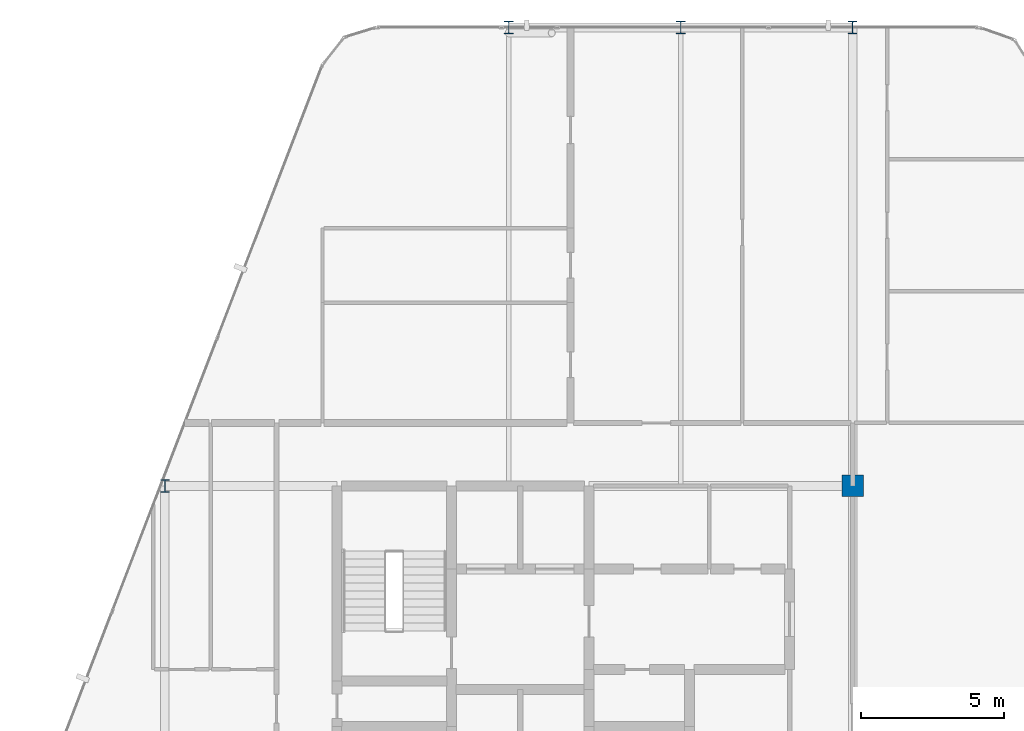
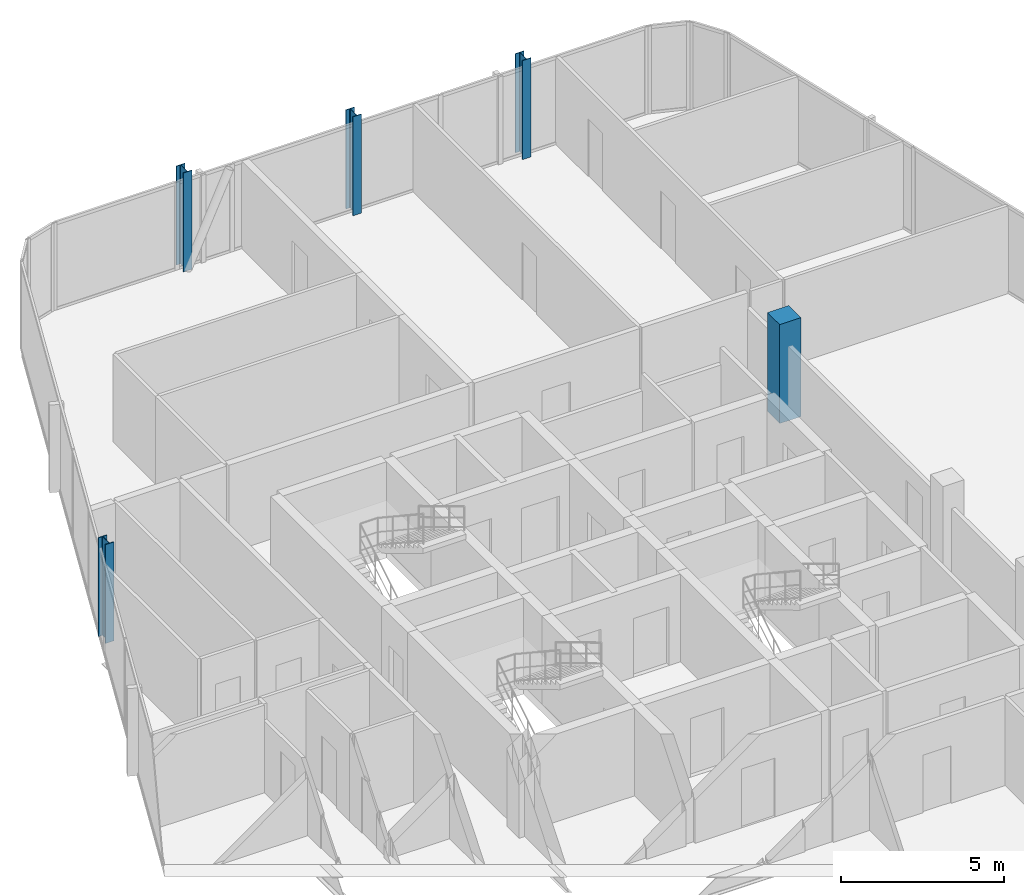
# One storey, part 3 of 28: 5 columns.
"""IFC4 building model written with IfcOpenShell, lengths in metres."""

import ifcopenshell
import ifcopenshell.guid

model = None  # the IFC model being written
_history = None  # IfcOwnerHistory: only IFC2X3 demands one
_inside = {}  # id of a spatial element -> (the spatial element, [elements in it])
_under = {}  # id of a project, library or spatial element -> (it, [spatial elements below it])
_declared = {}  # id of a project -> (the project, [libraries it declares])
_typed = {}  # id of a type object -> (the type object, [elements of that type])
_made_of = {}  # id of a material, layer set ... -> (it, [elements and type objects made of it])


def new_model(schema):
    """Start an empty IFC model of exactly this schema.

    Asked for "IFC4X3", IfcOpenShell would pick the latest addendum, in which some entities
    have other attributes; the version numbers below select the first issue.
    IFC2X3 requires an IfcOwnerHistory on every rooted entity: one is made here for all.
    """
    global model, _history
    if schema == "IFC4X3":
        model = ifcopenshell.file(schema_version=(4, 3, 0, 0))
    else:
        model = ifcopenshell.file(schema=schema)
    _inside.clear()
    _under.clear()
    _declared.clear()
    _typed.clear()
    _made_of.clear()
    _history = None
    if model.schema == "IFC2X3":
        org = make("IfcOrganization", Name="unknown")
        user = make(
            "IfcPersonAndOrganization",
            ThePerson=make("IfcPerson", FamilyName="unknown"),
            TheOrganization=org,
        )
        app = make(
            "IfcApplication",
            ApplicationDeveloper=org,
            Version="unknown",
            ApplicationFullName="unknown",
            ApplicationIdentifier="unknown",
        )
        _history = make(
            "IfcOwnerHistory",
            OwningUser=user,
            OwningApplication=app,
            ChangeAction="ADDED",
            CreationDate=0,
        )
    return model


def make(cls, **values):
    """One entity of the class cls with the attributes given. An attribute that is None is left unset."""
    return model.create_entity(
        cls, **{name: value for name, value in values.items() if value is not None}
    )


def rooted(cls, **values):
    """An entity with a GlobalId (a new one), such as an element, a storey or a relation."""
    return make(cls, GlobalId=ifcopenshell.guid.new(), OwnerHistory=_history, **values)


def si_unit(unit_type, name, prefix=None):
    """IfcSIUnit, for example si_unit("LENGTHUNIT", "METRE", prefix="MILLI")."""
    return make("IfcSIUnit", UnitType=unit_type, Prefix=prefix, Name=name)


def assignment(units):
    """IfcUnitAssignment: the units of a project."""
    return None if units is None else make("IfcUnitAssignment", Units=units)


def point(xyz):
    """IfcCartesianPoint."""
    return None if xyz is None else make("IfcCartesianPoint", Coordinates=xyz)


def direction(xyz):
    """IfcDirection."""
    return None if xyz is None else make("IfcDirection", DirectionRatios=xyz)


def frame(location, z_axis=None, x_axis=None):
    """IfcAxis2Placement3D, a coordinate frame: its origin and axes. An axis left out is left unset."""
    return make(
        "IfcAxis2Placement3D",
        Location=point(location),
        Axis=direction(z_axis),
        RefDirection=direction(x_axis),
    )


def frame_2d(location, x_axis=None):
    """IfcAxis2Placement2D, a coordinate frame in the plane: its origin and x axis."""
    return make(
        "IfcAxis2Placement2D", Location=point(location), RefDirection=direction(x_axis)
    )


def origin():
    """The frame at (0, 0, 0) with its axes left unset."""
    return frame((0.0, 0.0, 0.0))


def origin_2d():
    """The frame at (0, 0) in the plane with its x axis left unset."""
    return frame_2d((0.0, 0.0))


def place(relative_to, where):
    """IfcLocalPlacement: puts the frame where relative to a parent placement (None: the world)."""
    return make(
        "IfcLocalPlacement", PlacementRelTo=relative_to, RelativePlacement=where
    )


def context(
    kind, dimensions, precision=None, world=None, true_north=None, identifier=None
):
    """IfcGeometricRepresentationContext, for example the 3D "Model" context."""
    return make(
        "IfcGeometricRepresentationContext",
        ContextIdentifier=identifier,
        ContextType=kind,
        CoordinateSpaceDimension=dimensions,
        Precision=precision,
        WorldCoordinateSystem=world,
        TrueNorth=true_north,
    )


def subcontext(parent, identifier, kind, view, scale=None):
    """IfcGeometricRepresentationSubContext, for example "Body" below "Model"."""
    return make(
        "IfcGeometricRepresentationSubContext",
        ContextIdentifier=identifier,
        ContextType=kind,
        ParentContext=parent,
        TargetScale=scale,
        TargetView=view,
    )


def project(units=None, contexts=None):
    """IfcProject with its units and contexts."""
    return rooted(
        "IfcProject",
        Name="project",
        RepresentationContexts=contexts,
        UnitsInContext=assignment(units),
    )


def spatial(cls, under=None, at=None, **own):
    """A site, building, storey or space (cls), placed at a placement, below another one or the project."""
    s = rooted(cls, ObjectPlacement=at, **own)
    if under is not None:
        _under.setdefault(under.id(), (under, []))[1].append(s)
    return s


def profile(cls, at=None, kind="AREA", **sizes):
    """A parametric profile (cls). Its sizes go by their IFC names, for example OverallWidth=200.0."""
    return make(cls, ProfileType=kind, Position=at, **sizes)


def rectangle(**sizes):
    """IfcRectangleProfileDef."""
    return profile("IfcRectangleProfileDef", **sizes)


def i_section(**sizes):
    """IfcIShapeProfileDef."""
    return profile("IfcIShapeProfileDef", **sizes)


def extrude(swept, where, along, depth):
    """IfcExtrudedAreaSolid: the profile swept, set in the frame where, extruded along a direction by depth."""
    return make(
        "IfcExtrudedAreaSolid",
        SweptArea=swept,
        Position=where,
        ExtrudedDirection=direction(along),
        Depth=depth,
    )


def shape(context_of_items, identifier, shape_type, items):
    """IfcShapeRepresentation: the items that make up one representation, for example the "Body"."""
    return make(
        "IfcShapeRepresentation",
        ContextOfItems=context_of_items,
        RepresentationIdentifier=identifier,
        RepresentationType=shape_type,
        Items=items,
    )


def material(Name=None, Category=None):
    """IfcMaterial."""
    return make("IfcMaterial", Name=Name, Category=Category)


def material_profile(
    of_material, cross_section, Name=None, Category=None, Priority=None
):
    """IfcMaterialProfile: a cross section and its material."""
    return make(
        "IfcMaterialProfile",
        Name=Name,
        Material=of_material,
        Profile=cross_section,
        Priority=Priority,
        Category=Category,
    )


def profile_set(profiles, Name=None, composite=None):
    """IfcMaterialProfileSet."""
    return make(
        "IfcMaterialProfileSet",
        Name=Name,
        MaterialProfiles=profiles,
        CompositeProfile=composite,
    )


def made_of(thing, what):
    """Note that an element or type object is made of a material, layer set ...; save() writes the relation."""
    if what is not None:
        _made_of.setdefault(what.id(), (what, []))[1].append(thing)
    return thing


def type_object(cls, material=None, **own):
    """A type object (cls), such as IfcWallType, which elements share."""
    return made_of(rooted(cls, **own), material)


def element(
    cls,
    number,
    at=None,
    inside=None,
    cuts=None,
    type_object=None,
    material=None,
    context=None,
    identifier="Body",
    shape_type=None,
    held_by="IfcProductDefinitionShape",
    body=None,
    shapes=None,
    **own,
):
    """One element of the class cls, such as IfcWall. Its Tag is "e" and its number.

    at: its placement. inside: the storey or other place that contains it. cuts: it is an
    opening in that element (IfcRelVoidsElement). A single representation is given by context,
    identifier, shape_type and body (its items); several are given by shapes. held_by: the class
    of the entity that holds the representations. save() writes the other relations.
    """
    e = rooted(cls, Tag="e%d" % number, ObjectPlacement=at, **own)
    if body is not None:
        shapes = [shape(context, identifier, shape_type, body)]
    if shapes is not None:
        e.Representation = make(held_by, Representations=shapes)
    if inside is not None:
        _inside.setdefault(inside.id(), (inside, []))[1].append(e)
    if cuts is not None:
        rooted(
            "IfcRelVoidsElement", RelatingBuildingElement=cuts, RelatedOpeningElement=e
        )
    if type_object is not None:
        _typed.setdefault(type_object.id(), (type_object, []))[1].append(e)
    return made_of(e, material)


def aggregate(whole, parts):
    """IfcRelAggregates: a whole, such as a stair, and the parts it consists of."""
    return rooted("IfcRelAggregates", RelatingObject=whole, RelatedObjects=parts)


def save(model, path):
    """Write the relations noted so far, then the file.

    IfcRelAggregates (storeys below a building ...), IfcRelContainedInSpatialStructure (elements
    in a storey), IfcRelDefinesByType, IfcRelAssociatesMaterial and IfcRelDeclares: one each for
    every whole, place, type object, material and project.
    """
    for whole, parts in _under.values():
        aggregate(whole, parts)
    for where, things in _inside.values():
        rooted(
            "IfcRelContainedInSpatialStructure",
            RelatedElements=things,
            RelatingStructure=where,
        )
    for kind, things in _typed.values():
        rooted("IfcRelDefinesByType", RelatedObjects=things, RelatingType=kind)
    for what, things in _made_of.values():
        rooted("IfcRelAssociatesMaterial", RelatedObjects=things, RelatingMaterial=what)
    for by, libraries in _declared.values():
        rooted("IfcRelDeclares", RelatingContext=by, RelatedDefinitions=libraries)
    model.write(path)


model = new_model("IFC4")

# Units and contexts
model_context = context("Model", 3, precision=1e-05, world=origin(), true_north=direction((0.0, 1.0)))
body_context = subcontext(model_context, "Body", "Model", "MODEL_VIEW")
ifc_project = project(units=[si_unit("LENGTHUNIT", "METRE"), si_unit("AREAUNIT", "SQUARE_METRE"), si_unit("VOLUMEUNIT", "CUBIC_METRE"), si_unit("PLANEANGLEUNIT", "RADIAN"), si_unit("MASSUNIT", "GRAM", prefix="KILO")], contexts=[model_context])

# Site, building, storey
site_placement = place(None, origin())
site = spatial("IfcSite", under=ifc_project, at=site_placement, CompositionType="ELEMENT")
building_placement = place(site_placement, origin())
building = spatial("IfcBuilding", under=site, at=building_placement, Name="Keshet Zoharim Tower", CompositionType="ELEMENT")
storey_placement = place(building_placement, frame((0.0, 0.0, 233.89990234375)))
storey = spatial("IfcBuildingStorey", under=building, at=storey_placement, Name="L58", CompositionType="ELEMENT", Elevation=233.89990234375)

# Columns
ifc_material_1 = material(Name="Steel S355", Category="steel")
ifc_material_profile_1 = material_profile(ifc_material_1, i_section(OverallWidth=0.300048828125, OverallDepth=0.449951171875, WebThickness=0.013916015625, FlangeThickness=0.02587890625, FilletRadius=0.027099609375, at=origin_2d()), Name="HEB450")
ifc_profile_set_1 = profile_set([ifc_material_profile_1], Name="Steel S355")
column_type_1 = type_object("IfcColumnType", Name="COL-HEB450", PredefinedType="COLUMN", material=ifc_profile_set_1)
for number, where, z_axis, x_axis, name in (
    (1, (9.0, 37.89990234375, 0.0), (0.0, 0.0, 1.0), (1.0, 0.0, 0.0), "L58 Column 2H"),
    (2, (21.0, 53.89990234375, 0.0), (0.0, 0.0, 1.0), (1.0, 0.0, 0.0), "L58 Column 4L"),
    (3, (27.0, 53.89990234375, 0.0), (0.0, 0.0, 1.0), (1.0, 0.0, 0.0), "L58 Column 5L"),
    (4, (33.0, 53.89990234375, 0.0), (0.0, 0.0, 1.0), (1.0, 0.0, 0.0), "L58 Column 6L"),
):
    element("IfcColumn", number, at=place(storey_placement, frame(where, z_axis=z_axis, x_axis=x_axis)), inside=storey, type_object=column_type_1, Name=name, PredefinedType="COLUMN", context=body_context, shape_type="SweptSolid", body=[
        extrude(i_section(OverallWidth=0.300048828125, OverallDepth=0.449951171875, WebThickness=0.013916015625, FlangeThickness=0.02587890625, FilletRadius=0.027099609375, at=origin_2d()), origin(), (0.0, 0.0, 1.0), 3.7001953125),
    ])
ifc_material_2 = material(Name="Concrete C50/60", Category="concrete")
ifc_material_profile_2 = material_profile(ifc_material_2, rectangle(XDim=0.75, YDim=0.75, at=origin_2d()), Name="RC750x750")
ifc_profile_set_2 = profile_set([ifc_material_profile_2], Name="Concrete C50/60")
column_type_2 = type_object("IfcColumnType", Name="COL-RC750", PredefinedType="COLUMN", material=ifc_profile_set_2)
column_placement = place(storey_placement, frame((33.0, 37.89990234375, 0.0), z_axis=(0.0, 0.0, 1.0), x_axis=(1.0, 0.0, 0.0)))
element("IfcColumn", 5, at=column_placement, inside=storey, type_object=column_type_2, Name="L58 Column 6H", PredefinedType="COLUMN", context=body_context, shape_type="SweptSolid", body=[
    extrude(rectangle(XDim=0.75, YDim=0.75, at=origin_2d()), origin(), (0.0, 0.0, 1.0), 3.7001953125),
])

save(model, "model.ifc")
